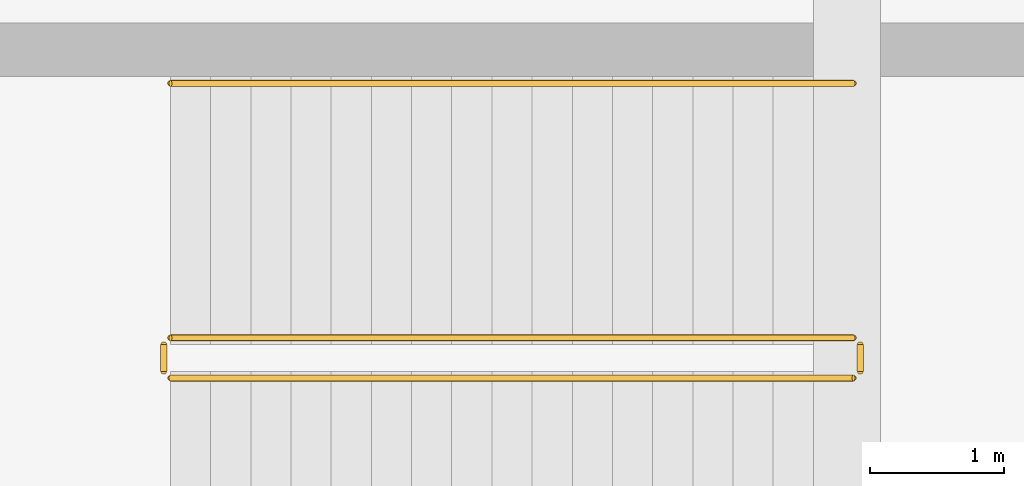
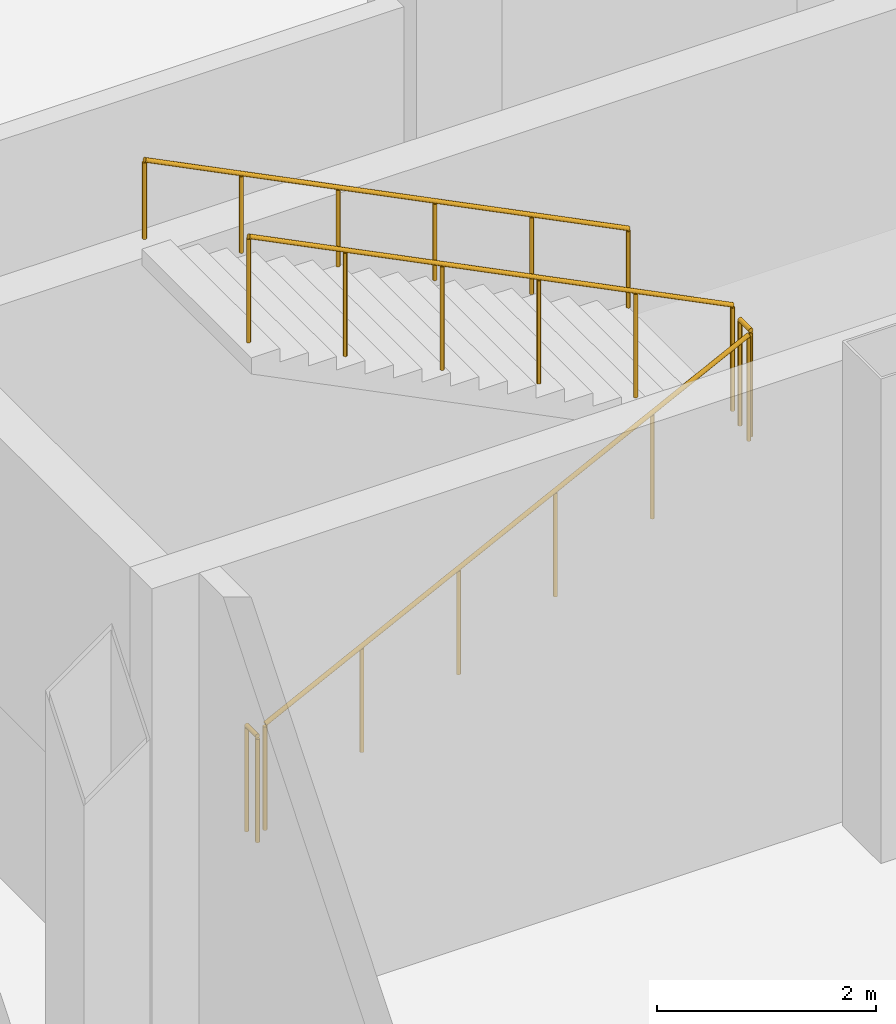
# One storey, part 45 of 49: 5 railings.
"""IFC4 building model written with IfcOpenShell, lengths in metres."""

from ifc_helpers import new_model, si_unit, direction, frame, origin, origin_2d, place, context, subcontext, project, spatial, circle, extrude, material, type_object, element, save


model = new_model("IFC4")

# Units and contexts
model_context = context("Model", 3, precision=1e-05, world=origin(), true_north=direction((0.0, 1.0)))
body_context = subcontext(model_context, "Body", "Model", "MODEL_VIEW")
ifc_project = project(units=[si_unit("LENGTHUNIT", "METRE"), si_unit("AREAUNIT", "SQUARE_METRE"), si_unit("VOLUMEUNIT", "CUBIC_METRE"), si_unit("PLANEANGLEUNIT", "RADIAN"), si_unit("MASSUNIT", "GRAM", prefix="KILO"), si_unit("THERMODYNAMICTEMPERATUREUNIT", "KELVIN")], contexts=[model_context])

# Site, building, storey
site_placement = place(None, origin())
site = spatial("IfcSite", under=ifc_project, at=site_placement, CompositionType="ELEMENT")
building_placement = place(site_placement, origin())
building = spatial("IfcBuilding", under=site, at=building_placement, Name="Lustrewick Department Store", CompositionType="ELEMENT")
storey_placement = place(building_placement, frame((0.0, 0.0, -5.39990234375)))
storey = spatial("IfcBuildingStorey", under=building, at=storey_placement, Name="B1", CompositionType="ELEMENT", Elevation=-5.39990234375)

# Railings
ifc_material_1 = material(Name="Painted tubular steel stairwell guardrail", Category="steel")
railing_type_1 = type_object("IfcRailingType", Name="RL-STG", PredefinedType="GUARDRAIL", material=ifc_material_1)
railing_1_placement = place(storey_placement, frame((120.949951171875, 78.35009765625, 0.14990234375)))
element("IfcRailing", 1, at=railing_1_placement, inside=storey, type_object=railing_type_1, Name="B1 ST10 Stair Guard 1", PredefinedType="GUARDRAIL", context=body_context, shape_type="SweptSolid", body=[
    extrude(circle(Radius=0.02392578125, at=origin_2d()), frame((0.0, 0.0, 1.17578125), z_axis=(0.894427191, 0.0, 0.4472135955), x_axis=(0.0, 1.0, 0.0)), (0.0, 0.0, 1.0), 5.7021484375),
    extrude(circle(Radius=0.02099609375, at=origin_2d()), origin(), (0.0, 0.0, 1.0), 1.15185546875),
    extrude(circle(Radius=0.02099609375, at=origin_2d()), frame((1.02001953125, 0.0, 0.510009765625)), (0.0, 0.0, 1.0), 1.15185546875),
    extrude(circle(Radius=0.02099609375, at=origin_2d()), frame((2.0400390625, 0.0, 1.02001953125)), (0.0, 0.0, 1.0), 1.15185546875),
    extrude(circle(Radius=0.02099609375, at=origin_2d()), frame((3.06005859375, 0.0, 1.530029296875)), (0.0, 0.0, 1.0), 1.15185546875),
    extrude(circle(Radius=0.02099609375, at=origin_2d()), frame((4.080078125, 0.0, 2.0400390625)), (0.0, 0.0, 1.0), 1.15185546875),
    extrude(circle(Radius=0.02099609375, at=origin_2d()), frame((5.10009765625, 0.0, 2.550048828125)), (0.0, 0.0, 1.0), 1.15185546875),
])
railing_2_placement = place(storey_placement, frame((126.10009765625, 78.39990234375, 2.699951171875)))
element("IfcRailing", 2, at=railing_2_placement, inside=storey, type_object=railing_type_1, Name="B1 ST10 Stair Guard 2", PredefinedType="GUARDRAIL", context=body_context, shape_type="SweptSolid", body=[
    extrude(circle(Radius=0.02392578125, at=origin_2d()), frame((0.0, 0.0, 1.17578125), z_axis=(0.0, 1.0, 0.0), x_axis=(-1.0, 0.0, 0.0)), (0.0, 0.0, 1.0), 0.2001953125),
    extrude(circle(Radius=0.02099609375, at=origin_2d()), origin(), (0.0, 0.0, 1.0), 1.15185546875),
    extrude(circle(Radius=0.02099609375, at=origin_2d()), frame((0.0, 0.2001953125, 0.0)), (0.0, 0.0, 1.0), 1.15185546875),
])
railing_3_placement = place(storey_placement, frame((126.050048828125, 78.64990234375, 2.849853515625)))
element("IfcRailing", 3, at=railing_3_placement, inside=storey, type_object=railing_type_1, Name="B1 ST10 Stair Guard 3", PredefinedType="GUARDRAIL", context=body_context, shape_type="SweptSolid", body=[
    extrude(circle(Radius=0.02392578125, at=origin_2d()), frame((0.0, 0.0, 1.17578125), z_axis=(-0.894427191, 0.0, 0.4472135955), x_axis=(0.0, -1.0, 0.0)), (0.0, 0.0, 1.0), 5.7021484375),
    extrude(circle(Radius=0.02099609375, at=origin_2d()), origin(), (0.0, 0.0, 1.0), 1.15185546875),
    extrude(circle(Radius=0.02099609375, at=origin_2d()), frame((-1.02001953125, 0.0, 0.510009765625)), (0.0, 0.0, 1.0), 1.15185546875),
    extrude(circle(Radius=0.02099609375, at=origin_2d()), frame((-2.0400390625, 0.0, 1.02001953125)), (0.0, 0.0, 1.0), 1.15185546875),
    extrude(circle(Radius=0.02099609375, at=origin_2d()), frame((-3.06005859375, 0.0, 1.530029296875)), (0.0, 0.0, 1.0), 1.15185546875),
    extrude(circle(Radius=0.02099609375, at=origin_2d()), frame((-4.080078125, 0.0, 2.0400390625)), (0.0, 0.0, 1.0), 1.15185546875),
    extrude(circle(Radius=0.02099609375, at=origin_2d()), frame((-5.10009765625, 0.0, 2.550048828125)), (0.0, 0.0, 1.0), 1.15185546875),
])
railing_4_placement = place(storey_placement, frame((120.89990234375, 78.39990234375, 0.0)))
element("IfcRailing", 4, at=railing_4_placement, inside=storey, type_object=railing_type_1, Name="B1 ST10 Stair Guard 4", PredefinedType="GUARDRAIL", context=body_context, shape_type="SweptSolid", body=[
    extrude(circle(Radius=0.02392578125, at=origin_2d()), frame((0.0, 0.0, 1.17578125), z_axis=(0.0, 1.0, 0.0), x_axis=(-1.0, 0.0, 0.0)), (0.0, 0.0, 1.0), 0.2001953125),
    extrude(circle(Radius=0.02099609375, at=origin_2d()), origin(), (0.0, 0.0, 1.0), 1.15185546875),
    extrude(circle(Radius=0.02099609375, at=origin_2d()), frame((0.0, 0.2001953125, 0.0)), (0.0, 0.0, 1.0), 1.15185546875),
])
ifc_material_2 = material(Name="Brushed stainless steel wall handrail", Category="steel")
railing_type_2 = type_object("IfcRailingType", Name="RL-STH", PredefinedType="HANDRAIL", material=ifc_material_2)
railing_5_placement = place(storey_placement, frame((126.050048828125, 80.550048828125, 2.849853515625)))
element("IfcRailing", 5, at=railing_5_placement, inside=storey, type_object=railing_type_2, Name="B1 ST10 Stair Handrail 2", PredefinedType="HANDRAIL", context=body_context, shape_type="SweptSolid", body=[
    extrude(circle(Radius=0.02392578125, at=origin_2d()), frame((0.0, 0.0, 0.8759765625), z_axis=(-0.894427191, 0.0, 0.4472135955), x_axis=(0.0, -1.0, 0.0)), (0.0, 0.0, 1.0), 5.7021484375),
    extrude(circle(Radius=0.02099609375, at=origin_2d()), origin(), (0.0, 0.0, 1.0), 0.851806640625),
    extrude(circle(Radius=0.02099609375, at=origin_2d()), frame((-1.02001953125, 0.0, 0.510009765625)), (0.0, 0.0, 1.0), 0.851806640625),
    extrude(circle(Radius=0.02099609375, at=origin_2d()), frame((-2.0400390625, 0.0, 1.02001953125)), (0.0, 0.0, 1.0), 0.851806640625),
    extrude(circle(Radius=0.02099609375, at=origin_2d()), frame((-3.06005859375, 0.0, 1.530029296875)), (0.0, 0.0, 1.0), 0.851806640625),
    extrude(circle(Radius=0.02099609375, at=origin_2d()), frame((-4.080078125, 0.0, 2.0400390625)), (0.0, 0.0, 1.0), 0.851806640625),
    extrude(circle(Radius=0.02099609375, at=origin_2d()), frame((-5.10009765625, 0.0, 2.550048828125)), (0.0, 0.0, 1.0), 0.851806640625),
])

save(model, "model.ifc")
